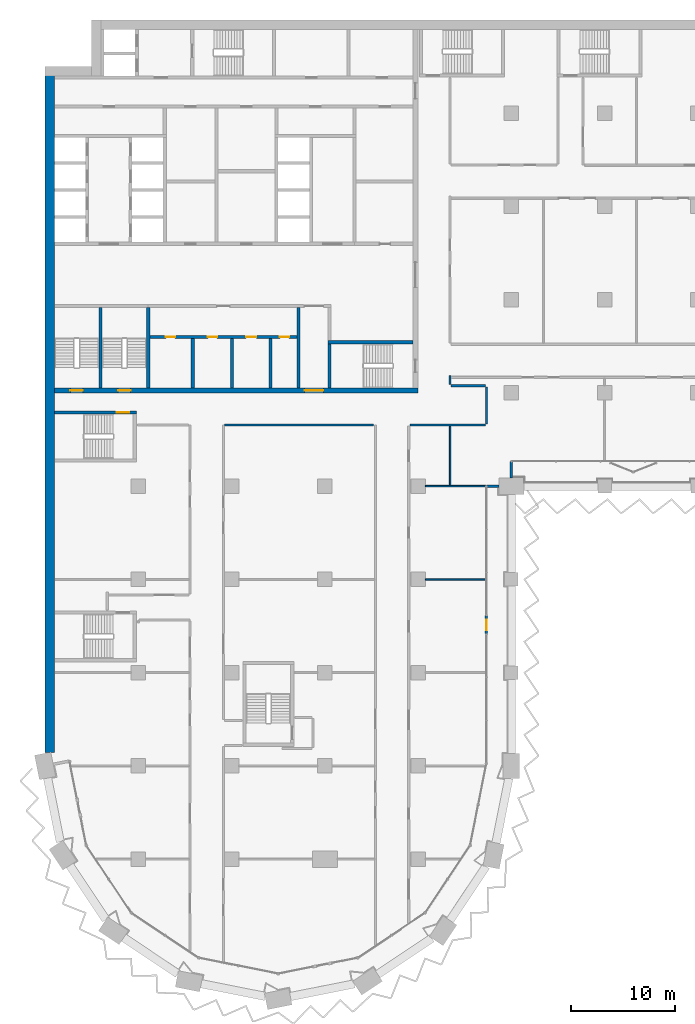
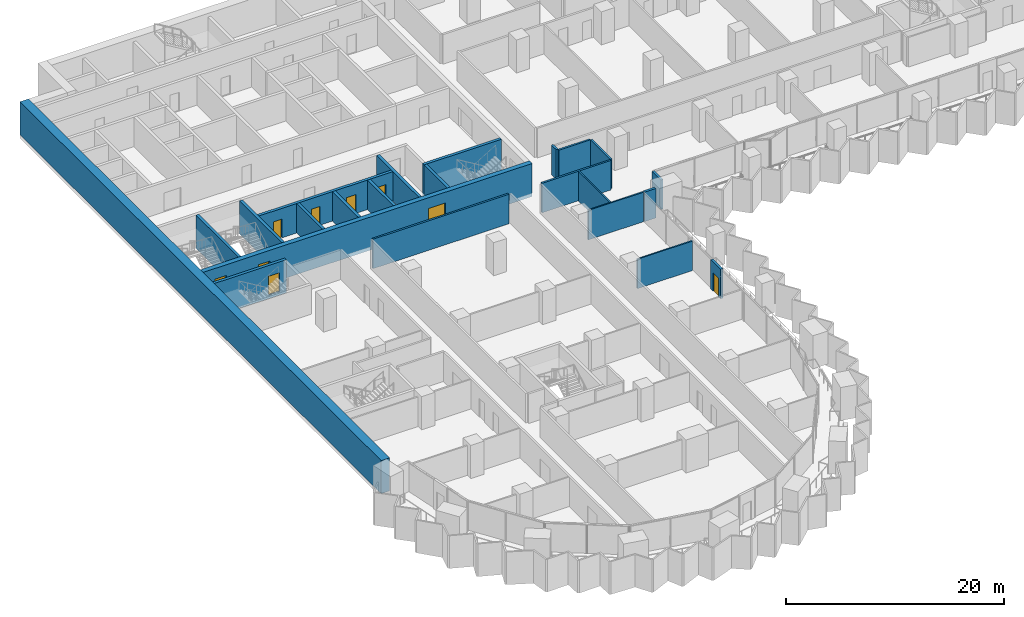
# One storey, part 12 of 28: 23 walls, 9 doors, 9 openings.
"""IFC4 building model written with IfcOpenShell, lengths in metres."""

from ifc_helpers import new_model, si_unit, direction, frame, frame_2d, origin, place, context, subcontext, project, spatial, rectangle, extrude, material, layer, layer_set, type_object, element, fill, save


model = new_model("IFC4")

# Units and contexts
model_context = context("Model", 3, precision=1e-05, world=origin(), true_north=direction((0.0, 1.0)))
body_context = subcontext(model_context, "Body", "Model", "MODEL_VIEW")
ifc_project = project(units=[si_unit("LENGTHUNIT", "METRE"), si_unit("AREAUNIT", "SQUARE_METRE"), si_unit("VOLUMEUNIT", "CUBIC_METRE"), si_unit("PLANEANGLEUNIT", "RADIAN"), si_unit("MASSUNIT", "GRAM", prefix="KILO")], contexts=[model_context])

# Site, building, storey
site_placement = place(None, origin())
site = spatial("IfcSite", under=ifc_project, at=site_placement, CompositionType="ELEMENT")
building_placement = place(site_placement, origin())
building = spatial("IfcBuilding", under=site, at=building_placement, Name="Hunhe Ridgeline Campus", CompositionType="ELEMENT")
storey_placement = place(building_placement, frame((0.0, 0.0, 39.5)))
storey = spatial("IfcBuildingStorey", under=building, at=storey_placement, Name="L08", CompositionType="ELEMENT", Elevation=39.5)

# Wall, openings, doors
ifc_material_1 = material(Name="Masonry concrete blockwork", Category="masonry")
ifc_layer_1 = layer(ifc_material_1, 0.300048828125)
ifc_layer_set_1 = layer_set([ifc_layer_1], Name="Core room partition 300 concrete block")
wall_type_1 = type_object("IfcWallType", Name="Core room partition 300 concrete block", PredefinedType="PARTITIONING", material=ifc_layer_set_1)
wall_1_placement = place(storey_placement, frame((10.10009765625, 68.39990234375, 0.0), z_axis=(0.0, 0.0, 1.0), x_axis=(1.0, 0.0, 0.0)))
wall_1 = element("IfcWall", 1, at=wall_1_placement, inside=storey, type_object=wall_type_1, Name="L08 core partition 10", PredefinedType="PARTITIONING", context=body_context, shape_type="SweptSolid", body=[
    extrude(rectangle(XDim=14.199951171875, YDim=0.300048828125, at=frame_2d((7.10009765625, 0.0))), origin(), (0.0, 0.0, 1.0), 3.300048828125),
])
opening_1_placement = place(wall_1_placement, frame((1.550048828125, 0.0, 0.0)))
opening_1 = element("IfcOpeningElement", 2, at=opening_1_placement, cuts=wall_1, Name="Opening CD8", PredefinedType="OPENING", context=body_context, shape_type="SweptSolid", body=[
    extrude(rectangle(XDim=0.89990234375, YDim=2.10009765625, at=frame_2d((0.449951171875, 1.050048828125))), frame((0.0, 0.14990234375, 0.0), z_axis=(0.0, -1.0, 0.0), x_axis=(1.0, 0.0, 0.0)), (0.0, 0.0, 1.0), 0.300048828125),
])
opening_2_placement = place(wall_1_placement, frame((5.60009765625, 0.0, 0.0)))
opening_2 = element("IfcOpeningElement", 3, at=opening_2_placement, cuts=wall_1, Name="Opening CD9", PredefinedType="OPENING", context=body_context, shape_type="SweptSolid", body=[
    extrude(rectangle(XDim=0.89990234375, YDim=2.10009765625, at=frame_2d((0.449951171875, 1.050048828125))), frame((0.0, 0.14990234375, 0.0), z_axis=(0.0, -1.0, 0.0), x_axis=(1.0, 0.0, 0.0)), (0.0, 0.0, 1.0), 0.300048828125),
])
opening_3_placement = place(wall_1_placement, frame((9.300048828125, 0.0, 0.0)))
opening_3 = element("IfcOpeningElement", 4, at=opening_3_placement, cuts=wall_1, Name="Opening CD10", PredefinedType="OPENING", context=body_context, shape_type="SweptSolid", body=[
    extrude(rectangle(XDim=1.0, YDim=2.10009765625, at=frame_2d((0.5, 1.050048828125))), frame((0.0, 0.14990234375, 0.0), z_axis=(0.0, -1.0, 0.0), x_axis=(1.0, 0.0, 0.0)), (0.0, 0.0, 1.0), 0.300048828125),
])
opening_4_placement = place(wall_1_placement, frame((12.550048828125, 0.0, 0.0)))
opening_4 = element("IfcOpeningElement", 5, at=opening_4_placement, cuts=wall_1, Name="Opening CD11", PredefinedType="OPENING", context=body_context, shape_type="SweptSolid", body=[
    extrude(rectangle(XDim=0.89990234375, YDim=2.10009765625, at=frame_2d((0.449951171875, 1.050048828125))), frame((0.0, 0.14990234375, 0.0), z_axis=(0.0, -1.0, 0.0), x_axis=(1.0, 0.0, 0.0)), (0.0, 0.0, 1.0), 0.300048828125),
])
ifc_material_2 = material(Name="Solid core timber door leaf", Category="wood")
door_type_1 = type_object("IfcDoorType", Name="Timber door 1000x2100", OperationType="SINGLE_SWING_LEFT", PredefinedType="DOOR", material=ifc_material_2)
door_1_placement = place(opening_3_placement, frame((1.0, 0.0, 0.0), z_axis=(0.0, 0.0, 1.0), x_axis=(-1.0, 0.0, 0.0)))
door_1 = element("IfcDoor", 6, at=door_1_placement, inside=storey, type_object=door_type_1, Name="L08 door WC3", OperationType="SINGLE_SWING_RIGHT", OverallHeight=2.10009765625, OverallWidth=1.0, PredefinedType="DOOR", context=body_context, shape_type="SweptSolid", body=[
    extrude(rectangle(XDim=1.0, YDim=2.10009765625, at=frame_2d((0.5, 1.050048828125))), frame((0.0, 0.02490234375, 0.0), z_axis=(0.0, -1.0, 0.0), x_axis=(1.0, 0.0, 0.0)), (0.0, 0.0, 1.0), 0.050048828125),
])
fill(opening_3, door_1)
door_type_2 = type_object("IfcDoorType", Name="Timber door 900x2100", OperationType="SINGLE_SWING_LEFT", PredefinedType="DOOR", material=ifc_material_2)
door_2_placement = place(opening_1_placement, frame((0.89990234375, 0.0, 0.0), z_axis=(0.0, 0.0, 1.0), x_axis=(-1.0, 0.0, 0.0)))
door_2 = element("IfcDoor", 7, at=door_2_placement, inside=storey, type_object=door_type_2, Name="L08 door WC1", OperationType="SINGLE_SWING_RIGHT", OverallHeight=2.10009765625, OverallWidth=0.89990234375, PredefinedType="DOOR", context=body_context, shape_type="SweptSolid", body=[
    extrude(rectangle(XDim=0.89990234375, YDim=2.10009765625, at=frame_2d((0.449951171875, 1.050048828125))), frame((0.0, 0.02490234375, 0.0), z_axis=(0.0, -1.0, 0.0), x_axis=(1.0, 0.0, 0.0)), (0.0, 0.0, 1.0), 0.050048828125),
])
fill(opening_1, door_2)
door_3_placement = place(opening_2_placement, frame((0.89990234375, 0.0, 0.0), z_axis=(0.0, 0.0, 1.0), x_axis=(-1.0, 0.0, 0.0)))
door_3 = element("IfcDoor", 8, at=door_3_placement, inside=storey, type_object=door_type_2, Name="L08 door WC2", OperationType="SINGLE_SWING_LEFT", OverallHeight=2.10009765625, OverallWidth=0.89990234375, PredefinedType="DOOR", context=body_context, shape_type="SweptSolid", body=[
    extrude(rectangle(XDim=0.89990234375, YDim=2.10009765625, at=frame_2d((0.449951171875, 1.050048828125))), frame((0.0, 0.02490234375, 0.0), z_axis=(0.0, -1.0, 0.0), x_axis=(1.0, 0.0, 0.0)), (0.0, 0.0, 1.0), 0.050048828125),
])
fill(opening_2, door_3)
door_4_placement = place(opening_4_placement, frame((0.89990234375, 0.0, 0.0), z_axis=(0.0, 0.0, 1.0), x_axis=(-1.0, 0.0, 0.0)))
door_4 = element("IfcDoor", 9, at=door_4_placement, inside=storey, type_object=door_type_2, Name="L08 door WC4", OperationType="SINGLE_SWING_LEFT", OverallHeight=2.10009765625, OverallWidth=0.89990234375, PredefinedType="DOOR", context=body_context, shape_type="SweptSolid", body=[
    extrude(rectangle(XDim=0.89990234375, YDim=2.10009765625, at=frame_2d((0.449951171875, 1.050048828125))), frame((0.0, 0.02490234375, 0.0), z_axis=(0.0, -1.0, 0.0), x_axis=(1.0, 0.0, 0.0)), (0.0, 0.0, 1.0), 0.050048828125),
])
fill(opening_4, door_4)

# Walls
for number, where, z_axis, x_axis, name in (
    (10, (14.25, 63.5, 0.0), (0.0, 0.0, 1.0), (0.0, 1.0, 0.0), "L08 core partition 48"),
    (11, (18.050048828125, 63.5, 0.0), (0.0, 0.0, 1.0), (0.0, 1.0, 0.0), "L08 core partition 50"),
    (12, (21.75, 63.5, 0.0), (0.0, 0.0, 1.0), (0.0, 1.0, 0.0), "L08 core partition 52"),
):
    element("IfcWall", number, at=place(storey_placement, frame(where, z_axis=z_axis, x_axis=x_axis)), inside=storey, type_object=wall_type_1, Name=name, PredefinedType="PARTITIONING", context=body_context, shape_type="SweptSolid", body=[
        extrude(rectangle(XDim=4.75, YDim=0.300048828125, at=frame_2d((2.375, 0.0))), origin(), (0.0, 0.0, 1.0), 3.300048828125),
    ])
wall_2_placement = place(storey_placement, frame((24.449951171875, 63.5, 0.0), z_axis=(0.0, 0.0, 1.0), x_axis=(0.0, 1.0, 0.0)))
element("IfcWall", 13, at=wall_2_placement, inside=storey, type_object=wall_type_1, Name="L08 core partition 57", PredefinedType="PARTITIONING", context=body_context, shape_type="SweptSolid", body=[
    extrude(rectangle(XDim=7.75, YDim=0.300048828125, at=frame_2d((3.875, 0.0))), origin(), (0.0, 0.0, 1.0), 3.300048828125),
])

# Wall, openings, doors
ifc_material_3 = material(Name="Concrete C80", Category="concrete")
ifc_layer_2 = layer(ifc_material_3, 0.5)
ifc_layer_set_2 = layer_set([ifc_layer_2], Name="Core wall 500 reinforced concrete C80")
wall_type_2 = type_object("IfcWallType", Name="Core wall 500 reinforced concrete C80", PredefinedType="SOLIDWALL", material=ifc_layer_set_2)
wall_3_placement = place(storey_placement, frame((0.89990234375, 63.25, -0.39990234375), z_axis=(0.0, 0.0, 1.0), x_axis=(1.0, 0.0, 0.0)))
wall_3 = element("IfcWall", 14, at=wall_3_placement, inside=storey, type_object=wall_type_2, Name="L08 core wall 7", PredefinedType="SOLIDWALL", context=body_context, shape_type="SweptSolid", body=[
    extrude(rectangle(XDim=35.10009765625, YDim=0.5, at=frame_2d((17.550048828125, 0.0))), origin(), (0.0, 0.0, 1.0), 3.699951171875),
])
opening_5_placement = place(wall_3_placement, frame((24.14990234375, 0.0, 0.39990234375)))
opening_5 = element("IfcOpeningElement", 15, at=opening_5_placement, cuts=wall_3, Name="Opening CD6", PredefinedType="OPENING", context=body_context, shape_type="SweptSolid", body=[
    extrude(rectangle(XDim=1.800048828125, YDim=2.10009765625, at=frame_2d((0.89990234375, 1.050048828125))), frame((0.0, 0.25, 0.0), z_axis=(0.0, -1.0, 0.0), x_axis=(1.0, 0.0, 0.0)), (0.0, 0.0, 1.0), 0.5),
])
opening_6_placement = place(wall_3_placement, frame((1.550048828125, 0.0, 0.39990234375)))
opening_6 = element("IfcOpeningElement", 16, at=opening_6_placement, cuts=wall_3, Name="Opening CD13", PredefinedType="OPENING", context=body_context, shape_type="SweptSolid", body=[
    extrude(rectangle(XDim=1.199951171875, YDim=2.10009765625, at=frame_2d((0.60009765625, 1.050048828125))), frame((0.0, 0.25, 0.0), z_axis=(0.0, -1.0, 0.0), x_axis=(1.0, 0.0, 0.0)), (0.0, 0.0, 1.0), 0.5),
])
opening_7_placement = place(wall_3_placement, frame((6.14990234375, 0.0, 0.39990234375)))
opening_7 = element("IfcOpeningElement", 17, at=opening_7_placement, cuts=wall_3, Name="Opening CD14", PredefinedType="OPENING", context=body_context, shape_type="SweptSolid", body=[
    extrude(rectangle(XDim=1.199951171875, YDim=2.10009765625, at=frame_2d((0.60009765625, 1.050048828125))), frame((0.0, 0.25, 0.0), z_axis=(0.0, -1.0, 0.0), x_axis=(1.0, 0.0, 0.0)), (0.0, 0.0, 1.0), 0.5),
])
ifc_material_4 = material(Name="Anodised aluminium and glass", Category="aluminium")
door_type_3 = type_object("IfcDoorType", Name="Glazed double door 1800x2100", OperationType="DOUBLE_DOOR_SINGLE_SWING", PredefinedType="DOOR", material=ifc_material_4)
door_5_placement = place(opening_5_placement, frame((1.800048828125, 0.0, 0.0), z_axis=(0.0, 0.0, 1.0), x_axis=(-1.0, 0.0, 0.0)))
door_5 = element("IfcDoor", 18, at=door_5_placement, inside=storey, type_object=door_type_3, Name="L08 door VEST-FLOOR", OperationType="DOUBLE_DOOR_SINGLE_SWING", OverallHeight=2.10009765625, OverallWidth=1.800048828125, PredefinedType="DOOR", context=body_context, shape_type="SweptSolid", body=[
    extrude(rectangle(XDim=1.800048828125, YDim=2.10009765625, at=frame_2d((0.89990234375, 1.050048828125))), frame((0.0, 0.02490234375, 0.0), z_axis=(0.0, -1.0, 0.0), x_axis=(1.0, 0.0, 0.0)), (0.0, 0.0, 1.0), 0.050048828125),
])
fill(opening_5, door_5)
ifc_material_5 = material(Name="Hollow metal fire door leaf")
door_type_4 = type_object("IfcDoorType", Name="Stair door 1200x2100 FD60", OperationType="SINGLE_SWING_LEFT", PredefinedType="DOOR", material=ifc_material_5)
door_6_placement = place(opening_6_placement, frame((1.199951171875, 0.0, 0.0), z_axis=(0.0, 0.0, 1.0), x_axis=(-1.0, 0.0, 0.0)))
door_6 = element("IfcDoor", 19, at=door_6_placement, inside=storey, type_object=door_type_4, Name="L08 door S3", OperationType="SINGLE_SWING_RIGHT", OverallHeight=2.10009765625, OverallWidth=1.199951171875, PredefinedType="DOOR", context=body_context, shape_type="SweptSolid", body=[
    extrude(rectangle(XDim=1.199951171875, YDim=2.10009765625, at=frame_2d((0.60009765625, 1.050048828125))), frame((0.0, 0.02490234375, 0.0), z_axis=(0.0, -1.0, 0.0), x_axis=(1.0, 0.0, 0.0)), (0.0, 0.0, 1.0), 0.050048828125),
])
fill(opening_6, door_6)
door_7_placement = place(opening_7_placement, frame((1.199951171875, 0.0, 0.0), z_axis=(0.0, 0.0, 1.0), x_axis=(-1.0, 0.0, 0.0)))
door_7 = element("IfcDoor", 20, at=door_7_placement, inside=storey, type_object=door_type_4, Name="L08 door S4", OperationType="SINGLE_SWING_LEFT", OverallHeight=2.10009765625, OverallWidth=1.199951171875, PredefinedType="DOOR", context=body_context, shape_type="SweptSolid", body=[
    extrude(rectangle(XDim=1.199951171875, YDim=2.10009765625, at=frame_2d((0.60009765625, 1.050048828125))), frame((0.0, 0.02490234375, 0.0), z_axis=(0.0, -1.0, 0.0), x_axis=(1.0, 0.0, 0.0)), (0.0, 0.0, 1.0), 0.050048828125),
])
fill(opening_7, door_7)

# Walls
ifc_material_6 = material(Name="Concrete C30", Category="concrete")
ifc_layer_3 = layer(ifc_material_6, 0.25)
ifc_layer_set_3 = layer_set([ifc_layer_3], Name="Corner return wall 250 Concrete C30")
wall_type_3 = type_object("IfcWallType", Name="Corner return wall 250 Concrete C30", PredefinedType="SOLIDWALL", material=ifc_layer_set_3)
wall_4_placement = place(storey_placement, frame((42.59912109375, 54.0, 0.0), z_axis=(0.0, 0.0, 1.0), x_axis=(0.999999917344, 0.000406586671, 0.0)))
element("IfcWall", 21, at=wall_4_placement, inside=storey, type_object=wall_type_3, Name="Corner return wall 2", PredefinedType="SOLIDWALL", context=body_context, shape_type="SweptSolid", body=[
    extrude(rectangle(XDim=1.200927734375, YDim=0.25, at=frame_2d((0.6005859375, 0.0))), origin(), (0.0, 0.0, 1.0), 3.300048828125),
])
wall_5_placement = place(storey_placement, frame((44.999267578125, 54.800048828125, 0.0), z_axis=(0.0, 0.0, 1.0), x_axis=(0.000152508767, 0.999999988371, 0.0)))
element("IfcWall", 22, at=wall_5_placement, inside=storey, type_object=wall_type_3, Name="Corner return wall 3", PredefinedType="SOLIDWALL", context=body_context, shape_type="SweptSolid", body=[
    extrude(rectangle(XDim=1.600830078125, YDim=0.25, at=frame_2d((0.80029296875, 0.0))), origin(), (0.0, 0.0, 1.0), 3.300048828125),
])
ifc_material_7 = material(Name="Gypsum board partition")
ifc_layer_4 = layer(ifc_material_7, 0.199951171875)
ifc_layer_set_4 = layer_set([ifc_layer_4], Name="Corridor partition 200 gypsum board on steel studs")
wall_type_4 = type_object("IfcWallType", Name="Corridor partition 200 gypsum board on steel studs", PredefinedType="PARTITIONING", material=ifc_layer_set_4)
wall_6_placement = place(storey_placement, frame((31.6982421875, 59.89990234375, 0.0), z_axis=(0.0, 0.0, 1.0), x_axis=(-1.0, 0.0, 0.0)))
element("IfcWall", 23, at=wall_6_placement, inside=storey, type_object=wall_type_4, Name="F-L08-wall-029", PredefinedType="PARTITIONING", context=body_context, shape_type="SweptSolid", body=[
    extrude(rectangle(XDim=14.370361328125, YDim=0.199951171875, at=frame_2d((7.18505859375, 0.0))), origin(), (0.0, 0.0, 1.0), 3.300048828125),
])
wall_7_placement = place(storey_placement, frame((42.5, 59.89990234375, 0.0), z_axis=(0.0, 0.0, 1.0), x_axis=(-1.0, 0.0, 0.0)))
element("IfcWall", 24, at=wall_7_placement, inside=storey, type_object=wall_type_4, Name="F-L08-wall-030", PredefinedType="PARTITIONING", context=body_context, shape_type="SweptSolid", body=[
    extrude(rectangle(XDim=7.300048828125, YDim=0.199951171875, at=frame_2d((3.64990234375, 0.0))), origin(), (0.0, 0.0, 1.0), 3.300048828125),
])
wall_8_placement = place(storey_placement, frame((39.199951171875, 63.699951171875, 0.0), z_axis=(0.0, 0.0, 1.0), x_axis=(1.0, 0.0, 0.0)))
element("IfcWall", 25, at=wall_8_placement, inside=storey, type_object=wall_type_4, Name="F-L08-wall-033", PredefinedType="PARTITIONING", context=body_context, shape_type="SweptSolid", body=[
    extrude(rectangle(XDim=3.300048828125, YDim=0.199951171875, at=frame_2d((1.64990234375, 0.0))), origin(), (0.0, 0.0, 1.0), 3.300048828125),
])
wall_9_placement = place(storey_placement, frame((39.10009765625, 64.68994140625, 0.0), z_axis=(0.0, 0.0, 1.0), x_axis=(0.0, -1.0, 0.0)))
element("IfcWall", 26, at=wall_9_placement, inside=storey, type_object=wall_type_4, Name="F-L08-wall-054", PredefinedType="PARTITIONING", context=body_context, shape_type="SweptSolid", body=[
    extrude(rectangle(XDim=0.889892578125, YDim=0.199951171875, at=frame_2d((0.44482421875, 0.0))), origin(), (0.0, 0.0, 1.0), 3.300048828125),
])
wall_10_placement = place(storey_placement, frame((42.60009765625, 63.60009765625, 0.0), z_axis=(0.0, 0.0, 1.0), x_axis=(0.0, -1.0, 0.0)))
element("IfcWall", 27, at=wall_10_placement, inside=storey, type_object=wall_type_4, Name="F-L08-wall-057", PredefinedType="PARTITIONING", context=body_context, shape_type="SweptSolid", body=[
    extrude(rectangle(XDim=3.60009765625, YDim=0.199951171875, at=frame_2d((1.800048828125, 0.0))), origin(), (0.0, 0.0, 1.0), 3.300048828125),
])

# Wall, opening, door
ifc_layer_5 = layer(ifc_material_6, 0.25)
ifc_layer_set_5 = layer_set([ifc_layer_5], Name="Loggia door pier wall 250 Concrete C30")
wall_type_5 = type_object("IfcWallType", Name="Loggia door pier wall 250 Concrete C30", PredefinedType="SOLIDWALL", material=ifc_layer_set_5)
wall_11_placement = place(storey_placement, frame((42.59912109375, 39.71826171875, 0.0), z_axis=(0.0, 0.0, 1.0), x_axis=(0.0, 1.0, 0.0)))
wall_11 = element("IfcWall", 28, at=wall_11_placement, inside=storey, type_object=wall_type_5, Name="Loggia door pier 3", PredefinedType="SOLIDWALL", context=body_context, shape_type="SweptSolid", body=[
    extrude(rectangle(XDim=1.800048828125, YDim=0.25, at=frame_2d((0.89990234375, 0.0))), origin(), (0.0, 0.0, 1.0), 3.300048828125),
])
opening_8_placement = place(wall_11_placement, frame((0.39990234375, 0.0, 0.0)))
opening_8 = element("IfcOpeningElement", 29, at=opening_8_placement, cuts=wall_11, Name="Opening BD105", PredefinedType="OPENING", context=body_context, shape_type="SweptSolid", body=[
    extrude(rectangle(XDim=1.0, YDim=2.10009765625, at=frame_2d((0.5, 1.050048828125))), frame((0.0, 0.125, 0.0), z_axis=(0.0, -1.0, 0.0), x_axis=(1.0, 0.0, 0.0)), (0.0, 0.0, 1.0), 0.25),
])
ifc_material_8 = material(Name="Aluminium 6063", Category="aluminium")
door_type_5 = type_object("IfcDoorType", Name="Loggia glazed door 1000x2100", OperationType="NOTDEFINED", PredefinedType="DOOR", material=ifc_material_8)
door_8_placement = place(opening_8_placement, frame((1.0, 0.0, 0.0), z_axis=(0.0, 0.0, 1.0), x_axis=(-1.0, 0.0, 0.0)))
door_8 = element("IfcDoor", 30, at=door_8_placement, inside=storey, type_object=door_type_5, Name="Loggia door BD105", OperationType="SINGLE_SWING_RIGHT", OverallHeight=2.10009765625, OverallWidth=1.0, PredefinedType="DOOR", context=body_context, shape_type="SweptSolid", body=[
    extrude(rectangle(XDim=1.0, YDim=2.10009765625, at=frame_2d((0.5, 1.050048828125))), frame((0.0, 0.02490234375, 0.0), z_axis=(0.0, -1.0, 0.0), x_axis=(1.0, 0.0, 0.0)), (0.0, 0.0, 1.0), 0.050048828125),
])
fill(opening_8, door_8)

# Walls
ifc_layer_6 = layer(ifc_material_7, 0.14990234375)
ifc_layer_set_6 = layer_set([ifc_layer_6], Name="Room partition 150 gypsum board on steel studs")
wall_type_6 = type_object("IfcWallType", Name="Room partition 150 gypsum board on steel studs", PredefinedType="PARTITIONING", material=ifc_layer_set_6)
for number, where, z_axis, x_axis, name in (
    (31, (36.699951171875, 45.0, 0.0), (0.0, 0.0, 1.0), (1.0, 0.0, 0.0), "F-L08-wall-026"),
    (32, (36.699951171875, 54.0, 0.0), (0.0, 0.0, 1.0), (1.0, 0.0, 0.0), "F-L08-wall-027"),
):
    element("IfcWall", number, at=place(storey_placement, frame(where, z_axis=z_axis, x_axis=x_axis)), inside=storey, type_object=wall_type_6, Name=name, PredefinedType="PARTITIONING", context=body_context, shape_type="SweptSolid", body=[
        extrude(rectangle(XDim=5.844970703125, YDim=0.14990234375, at=frame_2d((2.92236328125, 0.0))), origin(), (0.0, 0.0, 1.0), 3.300048828125),
    ])
wall_12_placement = place(storey_placement, frame((39.10009765625, 59.800048828125, 0.0), z_axis=(0.0, 0.0, 1.0), x_axis=(0.0, -1.0, 0.0)))
element("IfcWall", 33, at=wall_12_placement, inside=storey, type_object=wall_type_6, Name="F-L08-wall-053", PredefinedType="PARTITIONING", context=body_context, shape_type="SweptSolid", body=[
    extrude(rectangle(XDim=5.72509765625, YDim=0.14990234375, at=frame_2d((2.862548828125, 0.0))), origin(), (0.0, 0.0, 1.0), 3.300048828125),
])
ifc_layer_7 = layer(ifc_material_3, 0.89990234375)
ifc_layer_set_7 = layer_set([ifc_layer_7], Name="Spine wall 900 Concrete C80")
wall_type_7 = type_object("IfcWallType", Name="Spine wall 900 Concrete C80", PredefinedType="SHEAR", material=ifc_layer_set_7)
wall_13_placement = place(storey_placement, frame((0.449951171875, 94.5, 0.0), z_axis=(0.0, 0.0, 1.0), x_axis=(0.0, -1.0, 0.0)))
element("IfcWall", 34, at=wall_13_placement, inside=storey, type_object=wall_type_7, Name="Spine wall SW1-1 L08", PredefinedType="SHEAR", context=body_context, shape_type="SweptSolid", body=[
    extrude(rectangle(XDim=66.18701171875, YDim=0.89990234375, at=frame_2d((33.093505859375, 0.0))), origin(), (0.0, 0.0, 1.0), 3.699951171875),
])

# Wall, opening, door
ifc_layer_8 = layer(ifc_material_3, 0.300048828125)
ifc_layer_set_8 = layer_set([ifc_layer_8], Name="Stair wall 300 reinforced concrete C80")
wall_type_8 = type_object("IfcWallType", Name="Stair wall 300 reinforced concrete C80", PredefinedType="SOLIDWALL", material=ifc_layer_set_8)
wall_14_placement = place(storey_placement, frame((0.89990234375, 61.10009765625, -0.39990234375), z_axis=(0.0, 0.0, 1.0), x_axis=(1.0, 0.0, 0.0)))
wall_14 = element("IfcWall", 35, at=wall_14_placement, inside=storey, type_object=wall_type_8, Name="L08 core wall 6", PredefinedType="SOLIDWALL", context=body_context, shape_type="SweptSolid", body=[
    extrude(rectangle(XDim=7.900146484375, YDim=0.300048828125, at=frame_2d((3.9501953125, 0.0))), origin(), (0.0, 0.0, 1.0), 3.699951171875),
])
opening_9_placement = place(wall_14_placement, frame((6.0, 0.0, 0.39990234375)))
opening_9 = element("IfcOpeningElement", 36, at=opening_9_placement, cuts=wall_14, Name="Opening CD22", PredefinedType="OPENING", context=body_context, shape_type="SweptSolid", body=[
    extrude(rectangle(XDim=1.199951171875, YDim=2.10009765625, at=frame_2d((0.60009765625, 1.050048828125))), frame((0.0, 0.14990234375, 0.0), z_axis=(0.0, -1.0, 0.0), x_axis=(1.0, 0.0, 0.0)), (0.0, 0.0, 1.0), 0.300048828125),
])
door_9_placement = place(opening_9_placement, origin())
door_9 = element("IfcDoor", 37, at=door_9_placement, inside=storey, type_object=door_type_4, Name="L08 door W2", OperationType="SINGLE_SWING_RIGHT", OverallHeight=2.10009765625, OverallWidth=1.199951171875, PredefinedType="DOOR", context=body_context, shape_type="SweptSolid", body=[
    extrude(rectangle(XDim=1.199951171875, YDim=2.10009765625, at=frame_2d((0.60009765625, 1.050048828125))), frame((0.0, 0.02490234375, 0.0), z_axis=(0.0, -1.0, 0.0), x_axis=(1.0, 0.0, 0.0)), (0.0, 0.0, 1.0), 0.050048828125),
])
fill(opening_9, door_9)

# Walls
wall_15_placement = place(storey_placement, frame((27.300048828125, 67.89990234375, -0.39990234375), z_axis=(0.0, 0.0, 1.0), x_axis=(1.0, 0.0, 0.0)))
element("IfcWall", 38, at=wall_15_placement, inside=storey, type_object=wall_type_8, Name="L08 core wall 9", PredefinedType="SOLIDWALL", context=body_context, shape_type="SweptSolid", body=[
    extrude(rectangle(XDim=8.199951171875, YDim=0.300048828125, at=frame_2d((4.10009765625, 0.0))), origin(), (0.0, 0.0, 1.0), 3.699951171875),
])
for number, where, z_axis, x_axis, name in (
    (39, (5.35009765625, 63.5, -0.39990234375), (0.0, 0.0, 1.0), (0.0, 1.0, 0.0), "L08 core wall 38"),
    (40, (9.949951171875, 63.5, -0.39990234375), (0.0, 0.0, 1.0), (0.0, 1.0, 0.0), "L08 core wall 44"),
):
    element("IfcWall", number, at=place(storey_placement, frame(where, z_axis=z_axis, x_axis=x_axis)), inside=storey, type_object=wall_type_8, Name=name, PredefinedType="SOLIDWALL", context=body_context, shape_type="SweptSolid", body=[
        extrude(rectangle(XDim=7.75, YDim=0.300048828125, at=frame_2d((3.875, 0.0))), origin(), (0.0, 0.0, 1.0), 3.699951171875),
    ])
wall_16_placement = place(storey_placement, frame((27.449951171875, 63.5, -0.39990234375), z_axis=(0.0, 0.0, 1.0), x_axis=(0.0, 1.0, 0.0)))
element("IfcWall", 41, at=wall_16_placement, inside=storey, type_object=wall_type_8, Name="L08 core wall 59", PredefinedType="SOLIDWALL", context=body_context, shape_type="SweptSolid", body=[
    extrude(rectangle(XDim=4.25, YDim=0.300048828125, at=frame_2d((2.125, 0.0))), origin(), (0.0, 0.0, 1.0), 3.699951171875),
])

save(model, "model.ifc")
